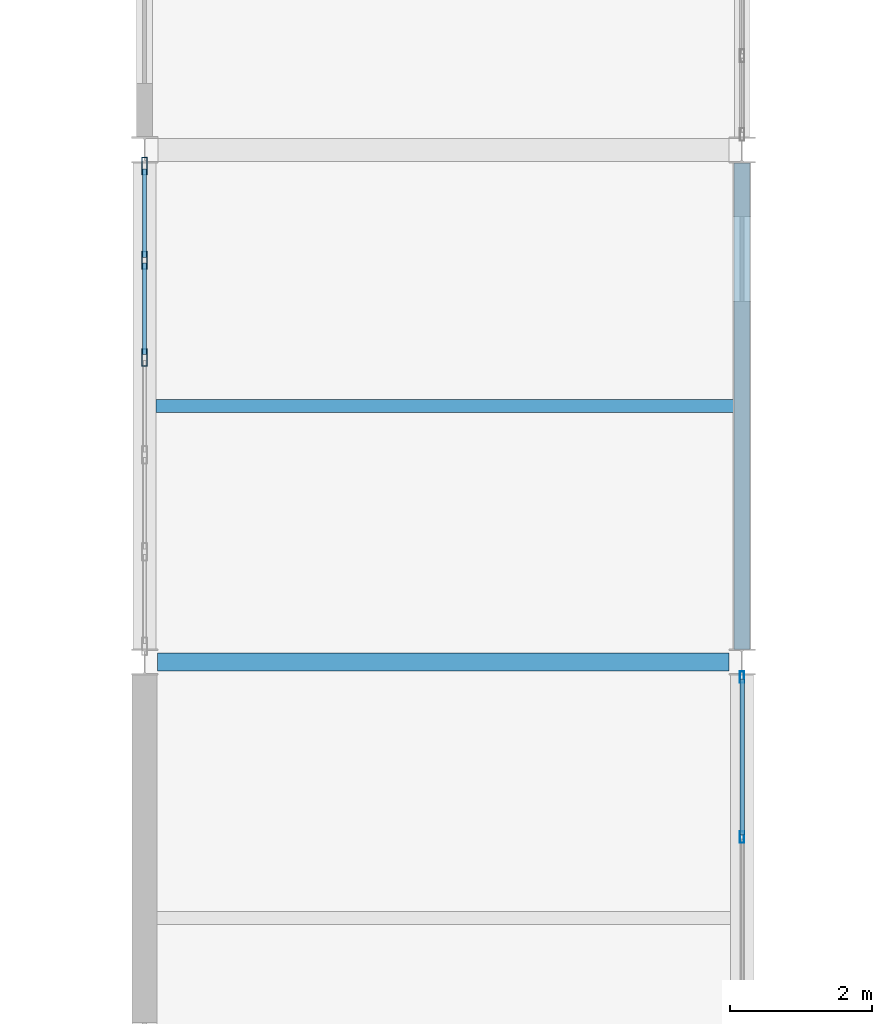
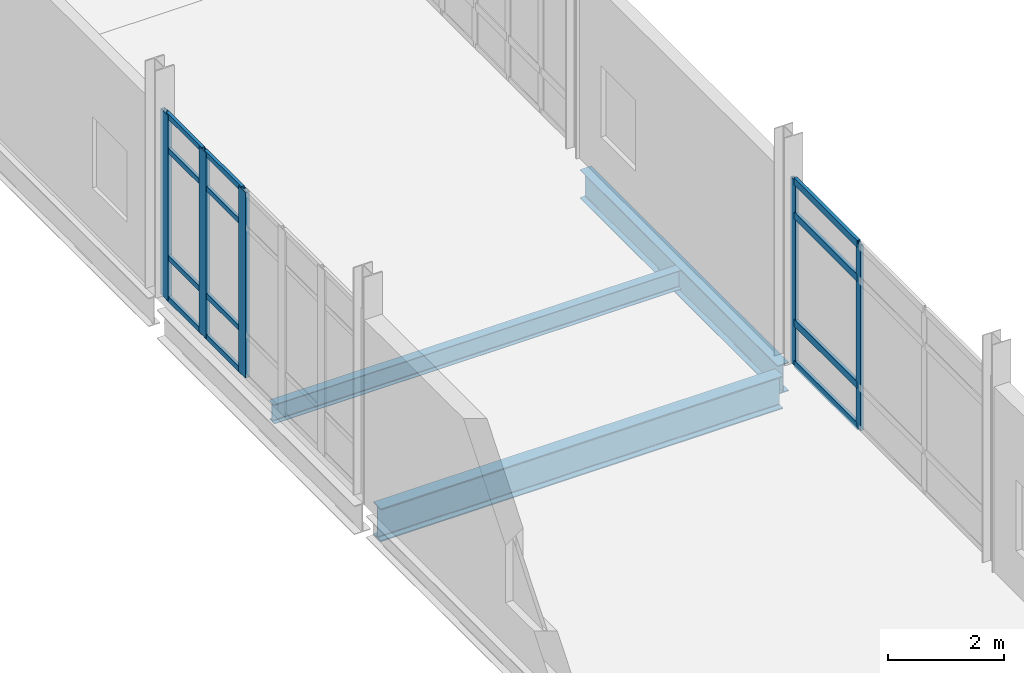
# One storey, part 79 of 186: 17 members, 3 beams, 2 elements without a shape of their own.
"""IFC4 building model written with IfcOpenShell, lengths in metres."""

from ifc_helpers import new_model, si_unit, direction, frame, origin, origin_2d, place, context, subcontext, project, spatial, hollow_rectangle, i_section, extrude, material, layer, layer_set, material_profile, profile_set, type_object, element, aggregate, save


model = new_model("IFC4")

# Units and contexts
model_context = context("Model", 3, precision=1e-05, world=origin(), true_north=direction((0.0, 1.0)))
body_context = subcontext(model_context, "Body", "Model", "MODEL_VIEW")
ifc_project = project(units=[si_unit("LENGTHUNIT", "METRE"), si_unit("AREAUNIT", "SQUARE_METRE"), si_unit("VOLUMEUNIT", "CUBIC_METRE"), si_unit("PLANEANGLEUNIT", "RADIAN"), si_unit("MASSUNIT", "GRAM", prefix="KILO")], contexts=[model_context])

# Site, building, storey
site_placement = place(None, origin())
site = spatial("IfcSite", under=ifc_project, at=site_placement, CompositionType="ELEMENT")
building_placement = place(site_placement, origin())
building = spatial("IfcBuilding", under=site, at=building_placement, Name="Calvrana Isthmian Art Gallery", CompositionType="ELEMENT")
storey_placement = place(building_placement, frame((0.0, 0.0, 5.39990234375)))
storey = spatial("IfcBuildingStorey", under=building, at=storey_placement, Name="L01", CompositionType="ELEMENT", Elevation=5.39990234375)

# Beams
ifc_material_1 = material(Name="Steel ASTM A992 Gr 50", Category="steel")
ifc_material_profile_1 = material_profile(ifc_material_1, i_section(OverallWidth=0.22802734375, OverallDepth=0.60693359375, WebThickness=0.01123046875, FlangeThickness=0.017333984375, FilletRadius=0.02197265625, at=origin_2d()), Name="W24X76")
ifc_profile_set_1 = profile_set([ifc_material_profile_1], Name="Steel ASTM A992 Gr 50")
beam_type_1 = type_object("IfcBeamType", Name="BM-G-W24X76", PredefinedType="BEAM", material=ifc_profile_set_1)
beam_1_placement = place(storey_placement, frame((63.60009765625, 84.177978515625, -0.54833984375), z_axis=(0.0, 1.0, 0.0), x_axis=(-1.0, 0.0, 0.0)))
element("IfcBeam", 1, at=beam_1_placement, inside=storey, type_object=beam_type_1, Name="Girder Y L01 09/L-M", PredefinedType="BEAM", context=body_context, shape_type="SweptSolid", body=[
    extrude(i_section(OverallWidth=0.22802734375, OverallDepth=0.60693359375, WebThickness=0.01123046875, FlangeThickness=0.017333984375, FilletRadius=0.02197265625, at=origin_2d()), origin(), (0.0, 0.0, 1.0), 6.840576171875),
])
ifc_material_profile_2 = material_profile(ifc_material_1, i_section(OverallWidth=0.257080078125, OverallDepth=0.693115234375, WebThickness=0.014404296875, FlangeThickness=0.023681640625, FilletRadius=0.02392578125, at=origin_2d()), Name="W27X114")
ifc_profile_set_2 = profile_set([ifc_material_profile_2], Name="Steel ASTM A992 Gr 50")
beam_type_2 = type_object("IfcBeamType", Name="BM-G-W27X114", PredefinedType="BEAM", material=ifc_profile_set_2)
beam_2_placement = place(storey_placement, frame((55.385498046875, 84.0, -0.59130859375), z_axis=(1.0, 0.0, 0.0), x_axis=(0.0, 1.0, 0.0)))
element("IfcBeam", 2, at=beam_2_placement, inside=storey, type_object=beam_type_2, Name="Girder X L01 08-09/L", PredefinedType="BEAM", context=body_context, shape_type="SweptSolid", body=[
    extrude(i_section(OverallWidth=0.257080078125, OverallDepth=0.693115234375, WebThickness=0.014404296875, FlangeThickness=0.023681640625, FilletRadius=0.02392578125, at=origin_2d()), origin(), (0.0, 0.0, 1.0), 8.030517578125),
])
ifc_material_profile_3 = material_profile(ifc_material_1, i_section(OverallWidth=0.177978515625, OverallDepth=0.404052734375, WebThickness=0.007568359375, FlangeThickness=0.010986328125, FilletRadius=0.01806640625, at=origin_2d()), Name="W16X36")
ifc_profile_set_3 = profile_set([ifc_material_profile_3], Name="Steel ASTM A992 Gr 50")
beam_type_3 = type_object("IfcBeamType", Name="BM-J-W16X36", PredefinedType="JOIST", material=ifc_profile_set_3)
beam_3_placement = place(storey_placement, frame((55.362548828125, 87.60009765625, -0.447021484375), z_axis=(1.0, 0.0, 0.0), x_axis=(0.0, 1.0, 0.0)))
element("IfcBeam", 3, at=beam_3_placement, inside=storey, type_object=beam_type_3, Name="Composite joist L01 bay 07-11", PredefinedType="JOIST", context=body_context, shape_type="SweptSolid", body=[
    extrude(i_section(OverallWidth=0.177978515625, OverallDepth=0.404052734375, WebThickness=0.007568359375, FlangeThickness=0.010986328125, FilletRadius=0.01806640625, at=origin_2d()), origin(), (0.0, 0.0, 1.0), 8.12353515625),
])

# Curtain wall, members
ifc_material_2 = material(Name="Anodized bronze aluminium 6063-T6", Category="aluminium")
ifc_layer = layer(ifc_material_2, 0.179931640625, Name="Anodized bronze aluminium 6063-T6")
ifc_layer_set = layer_set([ifc_layer], Name="Anodized bronze aluminium 6063-T6")
curtain_wall_type = type_object("IfcCurtainWallType", Name="CW-STICK-068X39", PredefinedType="NOTDEFINED", material=ifc_layer_set)
curtain_wall_1_placement = place(storey_placement, origin())
curtain_wall_1 = element("IfcCurtainWall", 4, at=curtain_wall_1_placement, inside=storey, type_object=curtain_wall_type, Name="Curtain wall CW-127", PredefinedType="NOTDEFINED")
ifc_material_profile_4 = material_profile(ifc_material_2, hollow_rectangle(XDim=0.06005859375, YDim=0.159912109375, WallThickness=0.00390625, at=origin_2d()), Name="CWM60X160")
ifc_profile_set_4 = profile_set([ifc_material_profile_4], Name="Anodized bronze aluminium 6063-T6")
member_type_1 = type_object("IfcMemberType", Name="CWM-CWM60X160", PredefinedType="MULLION", material=ifc_profile_set_4)
member_1_placement = place(storey_placement, frame((63.60009765625, 83.78857421875, 0.0), z_axis=(0.0, 0.0, 1.0), x_axis=(1.0, 0.0, 0.0)))
member_1 = element("IfcMember", 5, at=member_1_placement, type_object=member_type_1, Name="CW-127 mullion 1", PredefinedType="MULLION", context=body_context, shape_type="SweptSolid", body=[
    extrude(hollow_rectangle(XDim=0.06005859375, YDim=0.159912109375, WallThickness=0.00390625, at=origin_2d()), origin(), (0.0, 0.0, 1.0), 3.9130859375),
])
member_2_placement = place(storey_placement, frame((63.60009765625, 81.538330078125, 0.0), z_axis=(0.0, 0.0, 1.0), x_axis=(1.0, 0.0, 0.0)))
member_2 = element("IfcMember", 6, at=member_2_placement, type_object=member_type_1, Name="CW-127 mullion 2", PredefinedType="MULLION", context=body_context, shape_type="SweptSolid", body=[
    extrude(hollow_rectangle(XDim=0.06005859375, YDim=0.159912109375, WallThickness=0.00390625, at=origin_2d()), origin(), (0.0, 0.0, 1.0), 3.9130859375),
])

curtain_wall_2_placement = place(storey_placement, origin())
curtain_wall_2 = element("IfcCurtainWall", 7, at=curtain_wall_2_placement, inside=storey, type_object=curtain_wall_type, Name="Curtain wall CW-125", PredefinedType="NOTDEFINED")
ifc_material_profile_5 = material_profile(ifc_material_2, hollow_rectangle(XDim=0.080078125, YDim=0.25, WallThickness=0.005615234375, at=origin_2d()), Name="CWM80X250")
ifc_profile_set_5 = profile_set([ifc_material_profile_5], Name="Anodized bronze aluminium 6063-T6")
member_type_2 = type_object("IfcMemberType", Name="CWM-CWM80X250", PredefinedType="MULLION", material=ifc_profile_set_5)
member_3_placement = place(storey_placement, frame((55.199951171875, 88.28173828125, 0.0), z_axis=(0.0, 0.0, 1.0), x_axis=(-1.0, 0.0, 0.0)))
member_3 = element("IfcMember", 8, at=member_3_placement, type_object=member_type_2, Name="CW-125 mullion 4", PredefinedType="MULLION", context=body_context, shape_type="SweptSolid", body=[
    extrude(hollow_rectangle(XDim=0.080078125, YDim=0.25, WallThickness=0.005615234375, at=origin_2d()), origin(), (0.0, 0.0, 1.0), 3.9130859375),
])
member_4_placement = place(storey_placement, frame((55.199951171875, 89.647705078125, 0.0), z_axis=(0.0, 0.0, 1.0), x_axis=(-1.0, 0.0, 0.0)))
member_4 = element("IfcMember", 9, at=member_4_placement, type_object=member_type_2, Name="CW-125 mullion 5", PredefinedType="MULLION", context=body_context, shape_type="SweptSolid", body=[
    extrude(hollow_rectangle(XDim=0.080078125, YDim=0.25, WallThickness=0.005615234375, at=origin_2d()), origin(), (0.0, 0.0, 1.0), 3.9130859375),
])
member_5_placement = place(storey_placement, frame((55.199951171875, 90.973388671875, 0.0), z_axis=(0.0, 0.0, 1.0), x_axis=(-1.0, 0.0, 0.0)))
member_5 = element("IfcMember", 10, at=member_5_placement, type_object=member_type_2, Name="CW-125 mullion 6", PredefinedType="MULLION", context=body_context, shape_type="SweptSolid", body=[
    extrude(hollow_rectangle(XDim=0.080078125, YDim=0.25, WallThickness=0.005615234375, at=origin_2d()), origin(), (0.0, 0.0, 1.0), 3.9130859375),
])
ifc_material_profile_6 = material_profile(ifc_material_2, hollow_rectangle(XDim=0.06005859375, YDim=0.110107421875, WallThickness=0.00341796875, at=origin_2d()), Name="CWT60X110")
ifc_profile_set_6 = profile_set([ifc_material_profile_6], Name="Anodized bronze aluminium 6063-T6")
member_type_3 = type_object("IfcMemberType", Name="CWT-CWT60X110", PredefinedType="USERDEFINED", material=ifc_profile_set_6)
member_6_placement = place(storey_placement, frame((55.199951171875, 88.32177734375, 0.030029296875), z_axis=(0.0, 1.0, 0.0), x_axis=(-1.0, 0.0, 0.0)))
member_6 = element("IfcMember", 11, at=member_6_placement, type_object=member_type_3, Name="CW-125 transom 4.1", ObjectType="TRANSOM", PredefinedType="USERDEFINED", context=body_context, shape_type="SweptSolid", body=[
    extrude(hollow_rectangle(XDim=0.06005859375, YDim=0.110107421875, WallThickness=0.00341796875, at=origin_2d()), origin(), (0.0, 0.0, 1.0), 1.285888671875),
])
member_7_placement = place(storey_placement, frame((55.199951171875, 88.32177734375, 0.900146484375), z_axis=(0.0, 1.0, 0.0), x_axis=(-1.0, 0.0, 0.0)))
member_7 = element("IfcMember", 12, at=member_7_placement, type_object=member_type_3, Name="CW-125 transom 4.2", ObjectType="TRANSOM", PredefinedType="USERDEFINED", context=body_context, shape_type="SweptSolid", body=[
    extrude(hollow_rectangle(XDim=0.06005859375, YDim=0.110107421875, WallThickness=0.00341796875, at=origin_2d()), origin(), (0.0, 0.0, 1.0), 1.285888671875),
])
member_8_placement = place(storey_placement, frame((55.199951171875, 88.32177734375, 3.1630859375), z_axis=(0.0, 1.0, 0.0), x_axis=(-1.0, 0.0, 0.0)))
member_8 = element("IfcMember", 13, at=member_8_placement, type_object=member_type_3, Name="CW-125 transom 4.3", ObjectType="TRANSOM", PredefinedType="USERDEFINED", context=body_context, shape_type="SweptSolid", body=[
    extrude(hollow_rectangle(XDim=0.06005859375, YDim=0.110107421875, WallThickness=0.00341796875, at=origin_2d()), origin(), (0.0, 0.0, 1.0), 1.285888671875),
])
member_9_placement = place(storey_placement, frame((55.199951171875, 88.32177734375, 3.883056640625), z_axis=(0.0, 1.0, 0.0), x_axis=(-1.0, 0.0, 0.0)))
member_9 = element("IfcMember", 14, at=member_9_placement, type_object=member_type_3, Name="CW-125 transom 4.4", ObjectType="TRANSOM", PredefinedType="USERDEFINED", context=body_context, shape_type="SweptSolid", body=[
    extrude(hollow_rectangle(XDim=0.06005859375, YDim=0.110107421875, WallThickness=0.00341796875, at=origin_2d()), origin(), (0.0, 0.0, 1.0), 1.285888671875),
])
member_10_placement = place(storey_placement, frame((55.199951171875, 89.6875, 0.030029296875), z_axis=(0.0, 1.0, 0.0), x_axis=(-1.0, 0.0, 0.0)))
member_10 = element("IfcMember", 15, at=member_10_placement, type_object=member_type_3, Name="CW-125 transom 5.1", ObjectType="TRANSOM", PredefinedType="USERDEFINED", context=body_context, shape_type="SweptSolid", body=[
    extrude(hollow_rectangle(XDim=0.06005859375, YDim=0.110107421875, WallThickness=0.00341796875, at=origin_2d()), origin(), (0.0, 0.0, 1.0), 1.24609375),
])
member_11_placement = place(storey_placement, frame((55.199951171875, 89.6875, 0.900146484375), z_axis=(0.0, 1.0, 0.0), x_axis=(-1.0, 0.0, 0.0)))
member_11 = element("IfcMember", 16, at=member_11_placement, type_object=member_type_3, Name="CW-125 transom 5.2", ObjectType="TRANSOM", PredefinedType="USERDEFINED", context=body_context, shape_type="SweptSolid", body=[
    extrude(hollow_rectangle(XDim=0.06005859375, YDim=0.110107421875, WallThickness=0.00341796875, at=origin_2d()), origin(), (0.0, 0.0, 1.0), 1.24609375),
])
member_12_placement = place(storey_placement, frame((55.199951171875, 89.6875, 3.1630859375), z_axis=(0.0, 1.0, 0.0), x_axis=(-1.0, 0.0, 0.0)))
member_12 = element("IfcMember", 17, at=member_12_placement, type_object=member_type_3, Name="CW-125 transom 5.3", ObjectType="TRANSOM", PredefinedType="USERDEFINED", context=body_context, shape_type="SweptSolid", body=[
    extrude(hollow_rectangle(XDim=0.06005859375, YDim=0.110107421875, WallThickness=0.00341796875, at=origin_2d()), origin(), (0.0, 0.0, 1.0), 1.24609375),
])
member_13_placement = place(storey_placement, frame((55.199951171875, 89.6875, 3.883056640625), z_axis=(0.0, 1.0, 0.0), x_axis=(-1.0, 0.0, 0.0)))
member_13 = element("IfcMember", 18, at=member_13_placement, type_object=member_type_3, Name="CW-125 transom 5.4", ObjectType="TRANSOM", PredefinedType="USERDEFINED", context=body_context, shape_type="SweptSolid", body=[
    extrude(hollow_rectangle(XDim=0.06005859375, YDim=0.110107421875, WallThickness=0.00341796875, at=origin_2d()), origin(), (0.0, 0.0, 1.0), 1.24609375),
])
aggregate(curtain_wall_2, [member_3, member_4, member_5, member_6, member_7, member_8, member_9, member_10, member_11, member_12, member_13])

# Member
ifc_material_profile_7 = material_profile(ifc_material_2, hollow_rectangle(XDim=0.06494140625, YDim=0.14990234375, WallThickness=0.00390625, at=origin_2d()), Name="CWT65X150")
ifc_profile_set_7 = profile_set([ifc_material_profile_7], Name="Anodized bronze aluminium 6063-T6")
member_type_4 = type_object("IfcMemberType", Name="CWT-CWT65X150", PredefinedType="USERDEFINED", material=ifc_profile_set_7)
member_14_placement = place(storey_placement, frame((63.60009765625, 83.758544921875, 0.03271484375), z_axis=(0.0, -1.0, 0.0), x_axis=(1.0, 0.0, 0.0)))
member_14 = element("IfcMember", 19, at=member_14_placement, type_object=member_type_4, Name="CW-127 transom 1.1", ObjectType="TRANSOM", PredefinedType="USERDEFINED", context=body_context, shape_type="SweptSolid", body=[
    extrude(hollow_rectangle(XDim=0.06494140625, YDim=0.14990234375, WallThickness=0.00390625, at=origin_2d()), origin(), (0.0, 0.0, 1.0), 2.190185546875),
])

member_15_placement = place(storey_placement, frame((63.60009765625, 83.758544921875, 0.900146484375), z_axis=(0.0, -1.0, 0.0), x_axis=(1.0, 0.0, 0.0)))
member_15 = element("IfcMember", 20, at=member_15_placement, type_object=member_type_4, Name="CW-127 transom 1.2", ObjectType="TRANSOM", PredefinedType="USERDEFINED", context=body_context, shape_type="SweptSolid", body=[
    extrude(hollow_rectangle(XDim=0.06494140625, YDim=0.14990234375, WallThickness=0.00390625, at=origin_2d()), origin(), (0.0, 0.0, 1.0), 2.190185546875),
])

member_16_placement = place(storey_placement, frame((63.60009765625, 83.758544921875, 3.1630859375), z_axis=(0.0, -1.0, 0.0), x_axis=(1.0, 0.0, 0.0)))
member_16 = element("IfcMember", 21, at=member_16_placement, type_object=member_type_4, Name="CW-127 transom 1.3", ObjectType="TRANSOM", PredefinedType="USERDEFINED", context=body_context, shape_type="SweptSolid", body=[
    extrude(hollow_rectangle(XDim=0.06494140625, YDim=0.14990234375, WallThickness=0.00390625, at=origin_2d()), origin(), (0.0, 0.0, 1.0), 2.190185546875),
])

member_17_placement = place(storey_placement, frame((63.60009765625, 83.758544921875, 3.880615234375), z_axis=(0.0, -1.0, 0.0), x_axis=(1.0, 0.0, 0.0)))
member_17 = element("IfcMember", 22, at=member_17_placement, type_object=member_type_4, Name="CW-127 transom 1.4", ObjectType="TRANSOM", PredefinedType="USERDEFINED", context=body_context, shape_type="SweptSolid", body=[
    extrude(hollow_rectangle(XDim=0.06494140625, YDim=0.14990234375, WallThickness=0.00390625, at=origin_2d()), origin(), (0.0, 0.0, 1.0), 2.190185546875),
])

aggregate(curtain_wall_1, [member_1, member_2, member_14, member_15, member_16, member_17])

save(model, "model.ifc")
